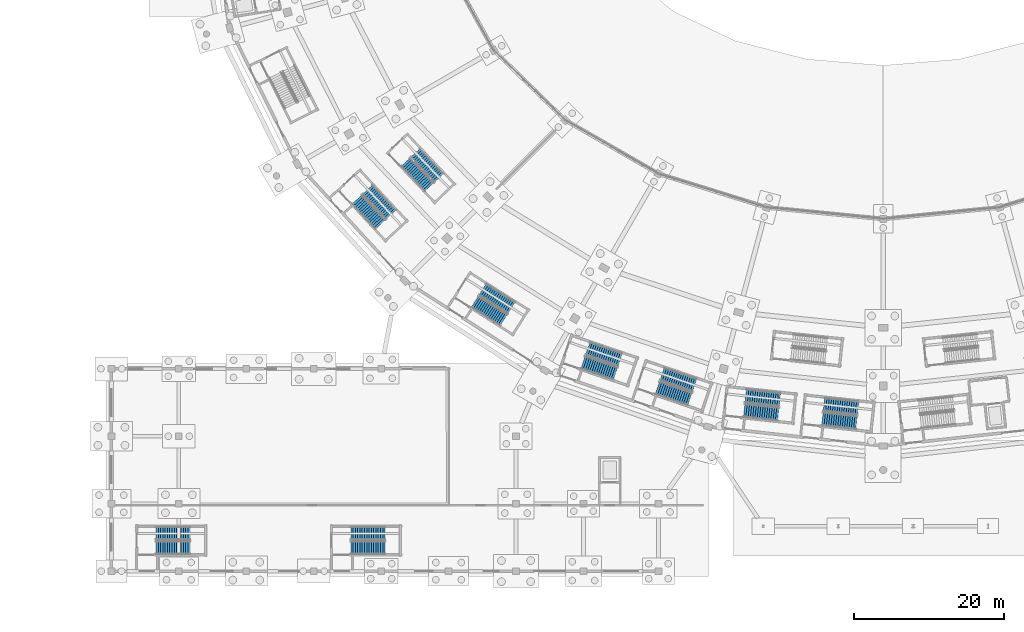
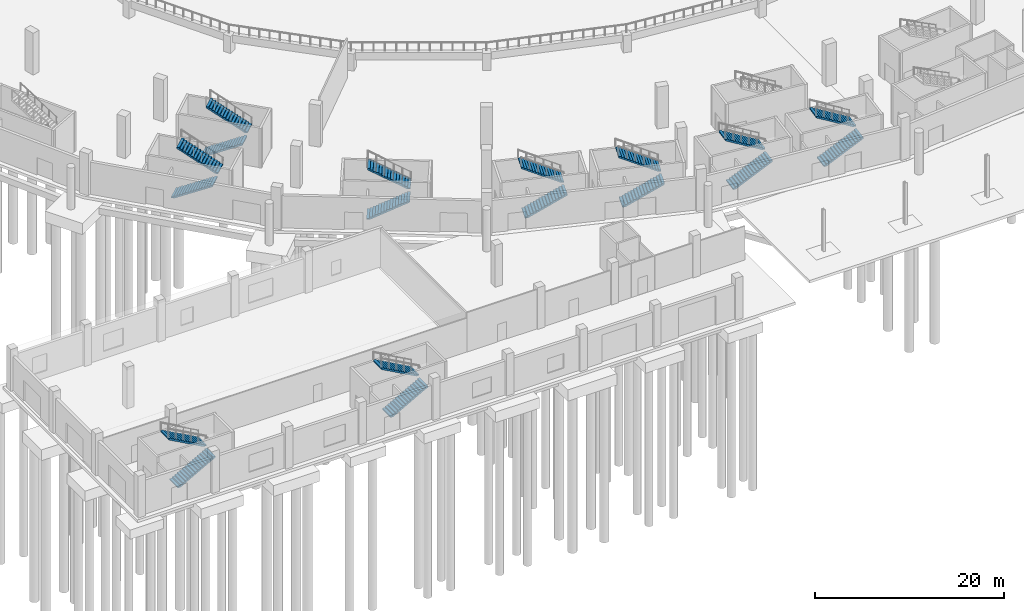
# One storey, part 50 of 103: 18 stair flights, 9 elements without a shape of their own.
"""IFC4 building model written with IfcOpenShell, lengths in metres."""

from ifc_helpers import new_model, si_unit, direction, frame, origin, place, context, subcontext, project, spatial, polyline, outline, extrude, material, type_object, element, aggregate, save


model = new_model("IFC4")

# Units and contexts
model_context = context("Model", 3, precision=1e-05, world=origin(), true_north=direction((0.0, 1.0)))
body_context = subcontext(model_context, "Body", "Model", "MODEL_VIEW")
ifc_project = project(units=[si_unit("LENGTHUNIT", "METRE"), si_unit("AREAUNIT", "SQUARE_METRE"), si_unit("VOLUMEUNIT", "CUBIC_METRE"), si_unit("PLANEANGLEUNIT", "RADIAN"), si_unit("MASSUNIT", "GRAM", prefix="KILO")], contexts=[model_context])

# Site, building, storey
site_placement = place(None, origin())
site = spatial("IfcSite", under=ifc_project, at=site_placement, CompositionType="ELEMENT")
building_placement = place(site_placement, origin())
building = spatial("IfcBuilding", under=site, at=building_placement, Name="Zevraka Park Crest Stadium", CompositionType="ELEMENT")
storey_placement = place(building_placement, origin())
storey = spatial("IfcBuildingStorey", under=building, at=storey_placement, Name="L00", CompositionType="ELEMENT", Elevation=0.0)

# Stair, stair flights
ifc_material_1 = material(Name="Concrete C35/45", Category="concrete")
stair_type_1 = type_object("IfcStairType", Name="STA1", PredefinedType="HALF_TURN_STAIR", material=ifc_material_1)
stair_1_placement = place(storey_placement, origin())
stair_1 = element("IfcStair", 1, at=stair_1_placement, inside=storey, type_object=stair_type_1, Name="L00 Protected Concourse Exit Stair ST15", PredefinedType="HALF_TURN_STAIR")
ifc_material_2 = material(Name="Concrete C35/45", Category="concrete")
stair_flight_type_1 = type_object("IfcStairFlightType", Name="FLA1", PredefinedType="STRAIGHT", material=ifc_material_2)
stair_flight_1_placement = place(storey_placement, frame((41.787353515625, 49.603759765625, 0.0), z_axis=(0.0, 0.0, 1.0), x_axis=(0.680255347227, -0.732975212793, 0.0)))
stair_flight_1 = element("IfcStairFlight", 2, at=stair_flight_1_placement, type_object=stair_flight_type_1, Name="ST15 flight 1", NumberOfRisers=16, NumberOfTreads=15, PredefinedType="STRAIGHT", RiserHeight=0.16875, TreadLength=0.305, context=body_context, shape_type="SweptSolid", body=[
    extrude(outline(polyline([(0.0, 0.0), (0.0, 0.168701171875), (0.304931640625, 0.168701171875), (0.304931640625, 0.33740234375), (0.610107421875, 0.33740234375), (0.610107421875, 0.50634765625), (0.9150390625, 0.50634765625), (0.9150390625, 0.675048828125), (1.219970703125, 0.675048828125), (1.219970703125, 0.84375), (1.52490234375, 0.84375), (1.52490234375, 1.012451171875), (1.830078125, 1.012451171875), (1.830078125, 1.18115234375), (2.135009765625, 1.18115234375), (2.135009765625, 1.35009765625), (2.43994140625, 1.35009765625), (2.43994140625, 1.518798828125), (2.7451171875, 1.518798828125), (2.7451171875, 1.6875), (3.050048828125, 1.6875), (3.050048828125, 1.856201171875), (3.35498046875, 1.856201171875), (3.35498046875, 2.02490234375), (3.659912109375, 2.02490234375), (3.659912109375, 2.19384765625), (3.965087890625, 2.19384765625), (3.965087890625, 2.362548828125), (4.27001953125, 2.362548828125), (4.27001953125, 2.53125), (4.574951171875, 2.53125), (4.574951171875, 2.699951171875), (4.574951171875, 2.348388671875), (0.330322265625, 0.0), (0.0, 0.0)])), frame((0.0, 0.89990234375, 0.0), z_axis=(0.0, -1.0, 0.0), x_axis=(1.0, 0.0, 0.0)), (0.0, 0.0, 1.0), 1.800048828125),
])
stair_flight_2_placement = place(storey_placement, frame((46.336181640625, 47.583740234375, 2.699951171875), z_axis=(0.0, 0.0, 1.0), x_axis=(-0.680255347227, 0.732975212793, 0.0)))
stair_flight_2 = element("IfcStairFlight", 3, at=stair_flight_2_placement, type_object=stair_flight_type_1, Name="ST15 flight 2", NumberOfRisers=16, NumberOfTreads=15, PredefinedType="STRAIGHT", RiserHeight=0.16875, TreadLength=0.305, context=body_context, shape_type="SweptSolid", body=[
    extrude(outline(polyline([(0.0, 0.0), (0.0, 0.168701171875), (0.304931640625, 0.168701171875), (0.304931640625, 0.33740234375), (0.610107421875, 0.33740234375), (0.610107421875, 0.50634765625), (0.9150390625, 0.50634765625), (0.9150390625, 0.675048828125), (1.219970703125, 0.675048828125), (1.219970703125, 0.84375), (1.52490234375, 0.84375), (1.52490234375, 1.012451171875), (1.830078125, 1.012451171875), (1.830078125, 1.18115234375), (2.135009765625, 1.18115234375), (2.135009765625, 1.35009765625), (2.43994140625, 1.35009765625), (2.43994140625, 1.518798828125), (2.7451171875, 1.518798828125), (2.7451171875, 1.6875), (3.050048828125, 1.6875), (3.050048828125, 1.856201171875), (3.35498046875, 1.856201171875), (3.35498046875, 2.02490234375), (3.659912109375, 2.02490234375), (3.659912109375, 2.19384765625), (3.965087890625, 2.19384765625), (3.965087890625, 2.362548828125), (4.27001953125, 2.362548828125), (4.27001953125, 2.53125), (4.574951171875, 2.53125), (4.574951171875, 2.699951171875), (4.574951171875, 2.348388671875), (0.330322265625, 0.0), (0.0, 0.0)])), frame((0.0, 0.89990234375, 0.0), z_axis=(0.0, -1.0, 0.0), x_axis=(1.0, 0.0, 0.0)), (0.0, 0.0, 1.0), 1.800048828125),
])
aggregate(stair_1, [stair_flight_1, stair_flight_2])

stair_2_placement = place(storey_placement, origin())
stair_2 = element("IfcStair", 4, at=stair_2_placement, inside=storey, type_object=stair_type_1, Name="L00 Protected Concourse Exit Stair ST16", PredefinedType="HALF_TURN_STAIR")
stair_flight_3_placement = place(storey_placement, frame((57.4970703125, 35.939697265625, 0.0), z_axis=(0.0, 0.0, 1.0), x_axis=(0.844397122829, -0.535717741874, 0.0)))
stair_flight_3 = element("IfcStairFlight", 5, at=stair_flight_3_placement, type_object=stair_flight_type_1, Name="ST16 flight 1", NumberOfRisers=16, NumberOfTreads=15, PredefinedType="STRAIGHT", RiserHeight=0.16875, TreadLength=0.305, context=body_context, shape_type="SweptSolid", body=[
    extrude(outline(polyline([(0.0, 0.0), (0.0, 0.168701171875), (0.304931640625, 0.168701171875), (0.304931640625, 0.33740234375), (0.610107421875, 0.33740234375), (0.610107421875, 0.50634765625), (0.9150390625, 0.50634765625), (0.9150390625, 0.675048828125), (1.219970703125, 0.675048828125), (1.219970703125, 0.84375), (1.52490234375, 0.84375), (1.52490234375, 1.012451171875), (1.830078125, 1.012451171875), (1.830078125, 1.18115234375), (2.135009765625, 1.18115234375), (2.135009765625, 1.35009765625), (2.43994140625, 1.35009765625), (2.43994140625, 1.518798828125), (2.7451171875, 1.518798828125), (2.7451171875, 1.6875), (3.050048828125, 1.6875), (3.050048828125, 1.856201171875), (3.35498046875, 1.856201171875), (3.35498046875, 2.02490234375), (3.659912109375, 2.02490234375), (3.659912109375, 2.19384765625), (3.965087890625, 2.19384765625), (3.965087890625, 2.362548828125), (4.27001953125, 2.362548828125), (4.27001953125, 2.53125), (4.574951171875, 2.53125), (4.574951171875, 2.699951171875), (4.574951171875, 2.348388671875), (0.330322265625, 0.0), (0.0, 0.0)])), frame((0.0, 0.89990234375, 0.0), z_axis=(0.0, -1.0, 0.0), x_axis=(1.0, 0.0, 0.0)), (0.0, 0.0, 1.0), 1.800048828125),
])
stair_flight_4_placement = place(storey_placement, frame((62.41015625, 35.143798828125, 2.699951171875), z_axis=(0.0, 0.0, 1.0), x_axis=(-0.844397122829, 0.535717741874, 0.0)))
stair_flight_4 = element("IfcStairFlight", 6, at=stair_flight_4_placement, type_object=stair_flight_type_1, Name="ST16 flight 2", NumberOfRisers=16, NumberOfTreads=15, PredefinedType="STRAIGHT", RiserHeight=0.16875, TreadLength=0.305, context=body_context, shape_type="SweptSolid", body=[
    extrude(outline(polyline([(0.0, 0.0), (0.0, 0.168701171875), (0.304931640625, 0.168701171875), (0.304931640625, 0.33740234375), (0.610107421875, 0.33740234375), (0.610107421875, 0.50634765625), (0.9150390625, 0.50634765625), (0.9150390625, 0.675048828125), (1.219970703125, 0.675048828125), (1.219970703125, 0.84375), (1.52490234375, 0.84375), (1.52490234375, 1.012451171875), (1.830078125, 1.012451171875), (1.830078125, 1.18115234375), (2.135009765625, 1.18115234375), (2.135009765625, 1.35009765625), (2.43994140625, 1.35009765625), (2.43994140625, 1.518798828125), (2.7451171875, 1.518798828125), (2.7451171875, 1.6875), (3.050048828125, 1.6875), (3.050048828125, 1.856201171875), (3.35498046875, 1.856201171875), (3.35498046875, 2.02490234375), (3.659912109375, 2.02490234375), (3.659912109375, 2.19384765625), (3.965087890625, 2.19384765625), (3.965087890625, 2.362548828125), (4.27001953125, 2.362548828125), (4.27001953125, 2.53125), (4.574951171875, 2.53125), (4.574951171875, 2.699951171875), (4.574951171875, 2.348388671875), (0.330322265625, 0.0), (0.0, 0.0)])), frame((0.0, 0.89990234375, 0.0), z_axis=(0.0, -1.0, 0.0), x_axis=(1.0, 0.0, 0.0)), (0.0, 0.0, 1.0), 1.800048828125),
])
aggregate(stair_2, [stair_flight_3, stair_flight_4])

stair_3_placement = place(storey_placement, origin())
stair_3 = element("IfcStair", 7, at=stair_3_placement, inside=storey, type_object=stair_type_1, Name="L00 Protected Concourse Exit Stair ST17", PredefinedType="HALF_TURN_STAIR")
stair_flight_5_placement = place(storey_placement, frame((71.942626953125, 27.845458984375, 0.0), z_axis=(0.0, 0.0, 1.0), x_axis=(0.946066135515, -0.323973559463, 0.0)))
stair_flight_5 = element("IfcStairFlight", 8, at=stair_flight_5_placement, type_object=stair_flight_type_1, Name="ST17 flight 1", NumberOfRisers=16, NumberOfTreads=15, PredefinedType="STRAIGHT", RiserHeight=0.16875, TreadLength=0.305, context=body_context, shape_type="SweptSolid", body=[
    extrude(outline(polyline([(0.0, 0.0), (0.0, 0.168701171875), (0.304931640625, 0.168701171875), (0.304931640625, 0.33740234375), (0.610107421875, 0.33740234375), (0.610107421875, 0.50634765625), (0.9150390625, 0.50634765625), (0.9150390625, 0.675048828125), (1.219970703125, 0.675048828125), (1.219970703125, 0.84375), (1.52490234375, 0.84375), (1.52490234375, 1.012451171875), (1.830078125, 1.012451171875), (1.830078125, 1.18115234375), (2.135009765625, 1.18115234375), (2.135009765625, 1.35009765625), (2.43994140625, 1.35009765625), (2.43994140625, 1.518798828125), (2.7451171875, 1.518798828125), (2.7451171875, 1.6875), (3.050048828125, 1.6875), (3.050048828125, 1.856201171875), (3.35498046875, 1.856201171875), (3.35498046875, 2.02490234375), (3.659912109375, 2.02490234375), (3.659912109375, 2.19384765625), (3.965087890625, 2.19384765625), (3.965087890625, 2.362548828125), (4.27001953125, 2.362548828125), (4.27001953125, 2.53125), (4.574951171875, 2.53125), (4.574951171875, 2.699951171875), (4.574951171875, 2.348388671875), (0.330322265625, 0.0), (0.0, 0.0)])), frame((0.0, 0.89990234375, 0.0), z_axis=(0.0, -1.0, 0.0), x_axis=(1.0, 0.0, 0.0)), (0.0, 0.0, 1.0), 1.800048828125),
])
stair_flight_6_placement = place(storey_placement, frame((76.906005859375, 28.217529296875, 2.699951171875), z_axis=(0.0, 0.0, 1.0), x_axis=(-0.946066135515, 0.323973559463, 0.0)))
stair_flight_6 = element("IfcStairFlight", 9, at=stair_flight_6_placement, type_object=stair_flight_type_1, Name="ST17 flight 2", NumberOfRisers=16, NumberOfTreads=15, PredefinedType="STRAIGHT", RiserHeight=0.16875, TreadLength=0.305, context=body_context, shape_type="SweptSolid", body=[
    extrude(outline(polyline([(0.0, 0.0), (0.0, 0.168701171875), (0.304931640625, 0.168701171875), (0.304931640625, 0.33740234375), (0.610107421875, 0.33740234375), (0.610107421875, 0.50634765625), (0.9150390625, 0.50634765625), (0.9150390625, 0.675048828125), (1.219970703125, 0.675048828125), (1.219970703125, 0.84375), (1.52490234375, 0.84375), (1.52490234375, 1.012451171875), (1.830078125, 1.012451171875), (1.830078125, 1.18115234375), (2.135009765625, 1.18115234375), (2.135009765625, 1.35009765625), (2.43994140625, 1.35009765625), (2.43994140625, 1.518798828125), (2.7451171875, 1.518798828125), (2.7451171875, 1.6875), (3.050048828125, 1.6875), (3.050048828125, 1.856201171875), (3.35498046875, 1.856201171875), (3.35498046875, 2.02490234375), (3.659912109375, 2.02490234375), (3.659912109375, 2.19384765625), (3.965087890625, 2.19384765625), (3.965087890625, 2.362548828125), (4.27001953125, 2.362548828125), (4.27001953125, 2.53125), (4.574951171875, 2.53125), (4.574951171875, 2.699951171875), (4.574951171875, 2.348388671875), (0.330322265625, 0.0), (0.0, 0.0)])), frame((0.0, 0.89990234375, 0.0), z_axis=(0.0, -1.0, 0.0), x_axis=(1.0, 0.0, 0.0)), (0.0, 0.0, 1.0), 1.800048828125),
])
aggregate(stair_3, [stair_flight_5, stair_flight_6])

stair_4_placement = place(storey_placement, origin())
stair_4 = element("IfcStair", 10, at=stair_4_placement, inside=storey, type_object=stair_type_1, Name="L00 Protected Concourse Exit Stair ST18", PredefinedType="HALF_TURN_STAIR")
stair_flight_7_placement = place(storey_placement, frame((93.454833984375, 21.43310546875, 0.0), z_axis=(0.0, 0.0, 1.0), x_axis=(0.994127567381, -0.108214508149, 0.0)))
stair_flight_7 = element("IfcStairFlight", 11, at=stair_flight_7_placement, type_object=stair_flight_type_1, Name="ST18 flight 1", NumberOfRisers=16, NumberOfTreads=15, PredefinedType="STRAIGHT", RiserHeight=0.16875, TreadLength=0.305, context=body_context, shape_type="SweptSolid", body=[
    extrude(outline(polyline([(0.0, 0.0), (0.0, 0.168701171875), (0.304931640625, 0.168701171875), (0.304931640625, 0.33740234375), (0.610107421875, 0.33740234375), (0.610107421875, 0.50634765625), (0.9150390625, 0.50634765625), (0.9150390625, 0.675048828125), (1.219970703125, 0.675048828125), (1.219970703125, 0.84375), (1.52490234375, 0.84375), (1.52490234375, 1.012451171875), (1.830078125, 1.012451171875), (1.830078125, 1.18115234375), (2.135009765625, 1.18115234375), (2.135009765625, 1.35009765625), (2.43994140625, 1.35009765625), (2.43994140625, 1.518798828125), (2.7451171875, 1.518798828125), (2.7451171875, 1.6875), (3.050048828125, 1.6875), (3.050048828125, 1.856201171875), (3.35498046875, 1.856201171875), (3.35498046875, 2.02490234375), (3.659912109375, 2.02490234375), (3.659912109375, 2.19384765625), (3.965087890625, 2.19384765625), (3.965087890625, 2.362548828125), (4.27001953125, 2.362548828125), (4.27001953125, 2.53125), (4.574951171875, 2.53125), (4.574951171875, 2.699951171875), (4.574951171875, 2.348388671875), (0.330322265625, 0.0), (0.0, 0.0)])), frame((0.0, 0.89990234375, 0.0), z_axis=(0.0, -1.0, 0.0), x_axis=(1.0, 0.0, 0.0)), (0.0, 0.0, 1.0), 1.800048828125),
])
stair_flight_8_placement = place(storey_placement, frame((98.21484375, 22.886474609375, 2.699951171875), z_axis=(0.0, 0.0, 1.0), x_axis=(-0.994127567381, 0.108214508149, 0.0)))
stair_flight_8 = element("IfcStairFlight", 12, at=stair_flight_8_placement, type_object=stair_flight_type_1, Name="ST18 flight 2", NumberOfRisers=16, NumberOfTreads=15, PredefinedType="STRAIGHT", RiserHeight=0.16875, TreadLength=0.305, context=body_context, shape_type="SweptSolid", body=[
    extrude(outline(polyline([(0.0, 0.0), (0.0, 0.168701171875), (0.304931640625, 0.168701171875), (0.304931640625, 0.33740234375), (0.610107421875, 0.33740234375), (0.610107421875, 0.50634765625), (0.9150390625, 0.50634765625), (0.9150390625, 0.675048828125), (1.219970703125, 0.675048828125), (1.219970703125, 0.84375), (1.52490234375, 0.84375), (1.52490234375, 1.012451171875), (1.830078125, 1.012451171875), (1.830078125, 1.18115234375), (2.135009765625, 1.18115234375), (2.135009765625, 1.35009765625), (2.43994140625, 1.35009765625), (2.43994140625, 1.518798828125), (2.7451171875, 1.518798828125), (2.7451171875, 1.6875), (3.050048828125, 1.6875), (3.050048828125, 1.856201171875), (3.35498046875, 1.856201171875), (3.35498046875, 2.02490234375), (3.659912109375, 2.02490234375), (3.659912109375, 2.19384765625), (3.965087890625, 2.19384765625), (3.965087890625, 2.362548828125), (4.27001953125, 2.362548828125), (4.27001953125, 2.53125), (4.574951171875, 2.53125), (4.574951171875, 2.699951171875), (4.574951171875, 2.348388671875), (0.330322265625, 0.0), (0.0, 0.0)])), frame((0.0, 0.89990234375, 0.0), z_axis=(0.0, -1.0, 0.0), x_axis=(1.0, 0.0, 0.0)), (0.0, 0.0, 1.0), 1.800048828125),
])
aggregate(stair_4, [stair_flight_7, stair_flight_8])

stair_5_placement = place(storey_placement, origin())
stair_5 = element("IfcStair", 13, at=stair_5_placement, inside=storey, type_object=stair_type_1, Name="L00 Protected Paired Concourse Exit Stair ST29", PredefinedType="HALF_TURN_STAIR")
stair_flight_9_placement = place(storey_placement, frame((81.876708984375, 24.444580078125, 0.0), z_axis=(0.0, 0.0, 1.0), x_axis=(0.946066135515, -0.323973559463, 0.0)))
stair_flight_9 = element("IfcStairFlight", 14, at=stair_flight_9_placement, type_object=stair_flight_type_1, Name="ST29 flight 1", NumberOfRisers=16, NumberOfTreads=15, PredefinedType="STRAIGHT", RiserHeight=0.16875, TreadLength=0.305, context=body_context, shape_type="SweptSolid", body=[
    extrude(outline(polyline([(0.0, 0.0), (0.0, 0.168701171875), (0.304931640625, 0.168701171875), (0.304931640625, 0.33740234375), (0.610107421875, 0.33740234375), (0.610107421875, 0.50634765625), (0.9150390625, 0.50634765625), (0.9150390625, 0.675048828125), (1.219970703125, 0.675048828125), (1.219970703125, 0.84375), (1.52490234375, 0.84375), (1.52490234375, 1.012451171875), (1.830078125, 1.012451171875), (1.830078125, 1.18115234375), (2.135009765625, 1.18115234375), (2.135009765625, 1.35009765625), (2.43994140625, 1.35009765625), (2.43994140625, 1.518798828125), (2.7451171875, 1.518798828125), (2.7451171875, 1.6875), (3.050048828125, 1.6875), (3.050048828125, 1.856201171875), (3.35498046875, 1.856201171875), (3.35498046875, 2.02490234375), (3.659912109375, 2.02490234375), (3.659912109375, 2.19384765625), (3.965087890625, 2.19384765625), (3.965087890625, 2.362548828125), (4.27001953125, 2.362548828125), (4.27001953125, 2.53125), (4.574951171875, 2.53125), (4.574951171875, 2.699951171875), (4.574951171875, 2.348388671875), (0.330322265625, 0.0), (0.0, 0.0)])), frame((0.0, 0.89990234375, 0.0), z_axis=(0.0, -1.0, 0.0), x_axis=(1.0, 0.0, 0.0)), (0.0, 0.0, 1.0), 1.800048828125),
])
stair_flight_10_placement = place(storey_placement, frame((86.840087890625, 24.816650390625, 2.699951171875), z_axis=(0.0, 0.0, 1.0), x_axis=(-0.946066135515, 0.323973559463, 0.0)))
stair_flight_10 = element("IfcStairFlight", 15, at=stair_flight_10_placement, type_object=stair_flight_type_1, Name="ST29 flight 2", NumberOfRisers=16, NumberOfTreads=15, PredefinedType="STRAIGHT", RiserHeight=0.16875, TreadLength=0.305, context=body_context, shape_type="SweptSolid", body=[
    extrude(outline(polyline([(0.0, 0.0), (0.0, 0.168701171875), (0.304931640625, 0.168701171875), (0.304931640625, 0.33740234375), (0.610107421875, 0.33740234375), (0.610107421875, 0.50634765625), (0.9150390625, 0.50634765625), (0.9150390625, 0.675048828125), (1.219970703125, 0.675048828125), (1.219970703125, 0.84375), (1.52490234375, 0.84375), (1.52490234375, 1.012451171875), (1.830078125, 1.012451171875), (1.830078125, 1.18115234375), (2.135009765625, 1.18115234375), (2.135009765625, 1.35009765625), (2.43994140625, 1.35009765625), (2.43994140625, 1.518798828125), (2.7451171875, 1.518798828125), (2.7451171875, 1.6875), (3.050048828125, 1.6875), (3.050048828125, 1.856201171875), (3.35498046875, 1.856201171875), (3.35498046875, 2.02490234375), (3.659912109375, 2.02490234375), (3.659912109375, 2.19384765625), (3.965087890625, 2.19384765625), (3.965087890625, 2.362548828125), (4.27001953125, 2.362548828125), (4.27001953125, 2.53125), (4.574951171875, 2.53125), (4.574951171875, 2.699951171875), (4.574951171875, 2.348388671875), (0.330322265625, 0.0), (0.0, 0.0)])), frame((0.0, 0.89990234375, 0.0), z_axis=(0.0, -1.0, 0.0), x_axis=(1.0, 0.0, 0.0)), (0.0, 0.0, 1.0), 1.800048828125),
])
aggregate(stair_5, [stair_flight_9, stair_flight_10])

stair_6_placement = place(storey_placement, origin())
stair_6 = element("IfcStair", 16, at=stair_6_placement, inside=storey, type_object=stair_type_1, Name="L00 Protected Paired Concourse Exit Stair ST30", PredefinedType="HALF_TURN_STAIR")
stair_flight_11_placement = place(storey_placement, frame((103.892822265625, 20.297119140625, 0.0), z_axis=(0.0, 0.0, 1.0), x_axis=(0.994127567381, -0.108214508149, 0.0)))
stair_flight_11 = element("IfcStairFlight", 17, at=stair_flight_11_placement, type_object=stair_flight_type_1, Name="ST30 flight 1", NumberOfRisers=16, NumberOfTreads=15, PredefinedType="STRAIGHT", RiserHeight=0.16875, TreadLength=0.305, context=body_context, shape_type="SweptSolid", body=[
    extrude(outline(polyline([(0.0, 0.0), (0.0, 0.168701171875), (0.304931640625, 0.168701171875), (0.304931640625, 0.33740234375), (0.610107421875, 0.33740234375), (0.610107421875, 0.50634765625), (0.9150390625, 0.50634765625), (0.9150390625, 0.675048828125), (1.219970703125, 0.675048828125), (1.219970703125, 0.84375), (1.52490234375, 0.84375), (1.52490234375, 1.012451171875), (1.830078125, 1.012451171875), (1.830078125, 1.18115234375), (2.135009765625, 1.18115234375), (2.135009765625, 1.35009765625), (2.43994140625, 1.35009765625), (2.43994140625, 1.518798828125), (2.7451171875, 1.518798828125), (2.7451171875, 1.6875), (3.050048828125, 1.6875), (3.050048828125, 1.856201171875), (3.35498046875, 1.856201171875), (3.35498046875, 2.02490234375), (3.659912109375, 2.02490234375), (3.659912109375, 2.19384765625), (3.965087890625, 2.19384765625), (3.965087890625, 2.362548828125), (4.27001953125, 2.362548828125), (4.27001953125, 2.53125), (4.574951171875, 2.53125), (4.574951171875, 2.699951171875), (4.574951171875, 2.348388671875), (0.330322265625, 0.0), (0.0, 0.0)])), frame((0.0, 0.89990234375, 0.0), z_axis=(0.0, -1.0, 0.0), x_axis=(1.0, 0.0, 0.0)), (0.0, 0.0, 1.0), 1.800048828125),
])
stair_flight_12_placement = place(storey_placement, frame((108.65283203125, 21.75048828125, 2.699951171875), z_axis=(0.0, 0.0, 1.0), x_axis=(-0.994127567381, 0.108214508149, 0.0)))
stair_flight_12 = element("IfcStairFlight", 18, at=stair_flight_12_placement, type_object=stair_flight_type_1, Name="ST30 flight 2", NumberOfRisers=16, NumberOfTreads=15, PredefinedType="STRAIGHT", RiserHeight=0.16875, TreadLength=0.305, context=body_context, shape_type="SweptSolid", body=[
    extrude(outline(polyline([(0.0, 0.0), (0.0, 0.168701171875), (0.304931640625, 0.168701171875), (0.304931640625, 0.33740234375), (0.610107421875, 0.33740234375), (0.610107421875, 0.50634765625), (0.9150390625, 0.50634765625), (0.9150390625, 0.675048828125), (1.219970703125, 0.675048828125), (1.219970703125, 0.84375), (1.52490234375, 0.84375), (1.52490234375, 1.012451171875), (1.830078125, 1.012451171875), (1.830078125, 1.18115234375), (2.135009765625, 1.18115234375), (2.135009765625, 1.35009765625), (2.43994140625, 1.35009765625), (2.43994140625, 1.518798828125), (2.7451171875, 1.518798828125), (2.7451171875, 1.6875), (3.050048828125, 1.6875), (3.050048828125, 1.856201171875), (3.35498046875, 1.856201171875), (3.35498046875, 2.02490234375), (3.659912109375, 2.02490234375), (3.659912109375, 2.19384765625), (3.965087890625, 2.19384765625), (3.965087890625, 2.362548828125), (4.27001953125, 2.362548828125), (4.27001953125, 2.53125), (4.574951171875, 2.53125), (4.574951171875, 2.699951171875), (4.574951171875, 2.348388671875), (0.330322265625, 0.0), (0.0, 0.0)])), frame((0.0, 0.89990234375, 0.0), z_axis=(0.0, -1.0, 0.0), x_axis=(1.0, 0.0, 0.0)), (0.0, 0.0, 1.0), 1.800048828125),
])
aggregate(stair_6, [stair_flight_11, stair_flight_12])

ifc_material_3 = material(Name="Concrete C35/45", Category="concrete")
stair_type_2 = type_object("IfcStairType", Name="STB1", PredefinedType="HALF_TURN_STAIR", material=ifc_material_3)
stair_7_placement = place(storey_placement, origin())
stair_7 = element("IfcStair", 19, at=stair_7_placement, inside=storey, type_object=stair_type_2, Name="L00 Protected Concourse Relief Stair ST40", PredefinedType="HALF_TURN_STAIR")
ifc_material_4 = material(Name="Concrete C35/45", Category="concrete")
stair_flight_type_2 = type_object("IfcStairFlightType", Name="FLB1", PredefinedType="STRAIGHT", material=ifc_material_4)
stair_flight_13_placement = place(storey_placement, frame((48.282958984375, 54.58056640625, 0.0), z_axis=(0.0, 0.0, 1.0), x_axis=(0.68832672281, -0.725400801396, 0.0)))
stair_flight_13 = element("IfcStairFlight", 20, at=stair_flight_13_placement, type_object=stair_flight_type_2, Name="ST40 flight 1", NumberOfRisers=16, NumberOfTreads=15, PredefinedType="STRAIGHT", RiserHeight=0.16875, TreadLength=0.305, context=body_context, shape_type="SweptSolid", body=[
    extrude(outline(polyline([(0.0, 0.0), (0.0, 0.168701171875), (0.304931640625, 0.168701171875), (0.304931640625, 0.33740234375), (0.610107421875, 0.33740234375), (0.610107421875, 0.50634765625), (0.9150390625, 0.50634765625), (0.9150390625, 0.675048828125), (1.219970703125, 0.675048828125), (1.219970703125, 0.84375), (1.52490234375, 0.84375), (1.52490234375, 1.012451171875), (1.830078125, 1.012451171875), (1.830078125, 1.18115234375), (2.135009765625, 1.18115234375), (2.135009765625, 1.35009765625), (2.43994140625, 1.35009765625), (2.43994140625, 1.518798828125), (2.7451171875, 1.518798828125), (2.7451171875, 1.6875), (3.050048828125, 1.6875), (3.050048828125, 1.856201171875), (3.35498046875, 1.856201171875), (3.35498046875, 2.02490234375), (3.659912109375, 2.02490234375), (3.659912109375, 2.19384765625), (3.965087890625, 2.19384765625), (3.965087890625, 2.362548828125), (4.27001953125, 2.362548828125), (4.27001953125, 2.53125), (4.574951171875, 2.53125), (4.574951171875, 2.699951171875), (4.574951171875, 2.348388671875), (0.330322265625, 0.0), (0.0, 0.0)])), frame((0.0, 0.824951171875, 0.0), z_axis=(0.0, -1.0, 0.0), x_axis=(1.0, 0.0, 0.0)), (0.0, 0.0, 1.0), 1.64990234375),
])
stair_flight_14_placement = place(storey_placement, frame((52.744873046875, 52.5078125, 2.699951171875), z_axis=(0.0, 0.0, 1.0), x_axis=(-0.68832672281, 0.725400801396, 0.0)))
stair_flight_14 = element("IfcStairFlight", 21, at=stair_flight_14_placement, type_object=stair_flight_type_2, Name="ST40 flight 2", NumberOfRisers=16, NumberOfTreads=15, PredefinedType="STRAIGHT", RiserHeight=0.16875, TreadLength=0.305, context=body_context, shape_type="SweptSolid", body=[
    extrude(outline(polyline([(0.0, 0.0), (0.0, 0.168701171875), (0.304931640625, 0.168701171875), (0.304931640625, 0.33740234375), (0.610107421875, 0.33740234375), (0.610107421875, 0.50634765625), (0.9150390625, 0.50634765625), (0.9150390625, 0.675048828125), (1.219970703125, 0.675048828125), (1.219970703125, 0.84375), (1.52490234375, 0.84375), (1.52490234375, 1.012451171875), (1.830078125, 1.012451171875), (1.830078125, 1.18115234375), (2.135009765625, 1.18115234375), (2.135009765625, 1.35009765625), (2.43994140625, 1.35009765625), (2.43994140625, 1.518798828125), (2.7451171875, 1.518798828125), (2.7451171875, 1.6875), (3.050048828125, 1.6875), (3.050048828125, 1.856201171875), (3.35498046875, 1.856201171875), (3.35498046875, 2.02490234375), (3.659912109375, 2.02490234375), (3.659912109375, 2.19384765625), (3.965087890625, 2.19384765625), (3.965087890625, 2.362548828125), (4.27001953125, 2.362548828125), (4.27001953125, 2.53125), (4.574951171875, 2.53125), (4.574951171875, 2.699951171875), (4.574951171875, 2.348388671875), (0.330322265625, 0.0), (0.0, 0.0)])), frame((0.0, 0.824951171875, 0.0), z_axis=(0.0, -1.0, 0.0), x_axis=(1.0, 0.0, 0.0)), (0.0, 0.0, 1.0), 1.64990234375),
])
aggregate(stair_7, [stair_flight_13, stair_flight_14])

ifc_material_5 = material(Name="Concrete C35/45", Category="concrete")
stair_type_3 = type_object("IfcStairType", Name="STC1", PredefinedType="HALF_TURN_STAIR", material=ifc_material_5)
stair_8_placement = place(storey_placement, origin())
stair_8 = element("IfcStair", 22, at=stair_8_placement, inside=storey, type_object=stair_type_3, Name="L00 South Broadcast Wing West Stair ST51", PredefinedType="HALF_TURN_STAIR")
ifc_material_6 = material(Name="Concrete C35/45", Category="concrete")
stair_flight_type_3 = type_object("IfcStairFlightType", Name="FLC1", PredefinedType="STRAIGHT", material=ifc_material_6)
stair_flight_15_placement = place(storey_placement, frame((14.949951171875, 3.125, 0.0), z_axis=(0.0, 0.0, 1.0), x_axis=(1.0, 0.0, 0.0)))
stair_flight_15 = element("IfcStairFlight", 23, at=stair_flight_15_placement, type_object=stair_flight_type_3, Name="ST51 flight 1", NumberOfRisers=16, NumberOfTreads=15, PredefinedType="STRAIGHT", RiserHeight=0.16875, TreadLength=0.305, context=body_context, shape_type="SweptSolid", body=[
    extrude(outline(polyline([(0.0, 0.0), (0.0, 0.168701171875), (0.304931640625, 0.168701171875), (0.304931640625, 0.33740234375), (0.610107421875, 0.33740234375), (0.610107421875, 0.50634765625), (0.9150390625, 0.50634765625), (0.9150390625, 0.675048828125), (1.219970703125, 0.675048828125), (1.219970703125, 0.84375), (1.52490234375, 0.84375), (1.52490234375, 1.012451171875), (1.830078125, 1.012451171875), (1.830078125, 1.18115234375), (2.135009765625, 1.18115234375), (2.135009765625, 1.35009765625), (2.43994140625, 1.35009765625), (2.43994140625, 1.518798828125), (2.7451171875, 1.518798828125), (2.7451171875, 1.6875), (3.050048828125, 1.6875), (3.050048828125, 1.856201171875), (3.35498046875, 1.856201171875), (3.35498046875, 2.02490234375), (3.659912109375, 2.02490234375), (3.659912109375, 2.19384765625), (3.965087890625, 2.19384765625), (3.965087890625, 2.362548828125), (4.27001953125, 2.362548828125), (4.27001953125, 2.53125), (4.574951171875, 2.53125), (4.574951171875, 2.699951171875), (4.574951171875, 2.348388671875), (0.330322265625, 0.0), (0.0, 0.0)])), frame((0.0, 0.875, 0.0), z_axis=(0.0, -1.0, 0.0), x_axis=(1.0, 0.0, 0.0)), (0.0, 0.0, 1.0), 1.75),
])
stair_flight_16_placement = place(storey_placement, frame((19.52490234375, 5.034912109375, 2.699951171875), z_axis=(0.0, 0.0, 1.0), x_axis=(-1.0, 0.0, 0.0)))
stair_flight_16 = element("IfcStairFlight", 24, at=stair_flight_16_placement, type_object=stair_flight_type_3, Name="ST51 flight 2", NumberOfRisers=16, NumberOfTreads=15, PredefinedType="STRAIGHT", RiserHeight=0.16875, TreadLength=0.305, context=body_context, shape_type="SweptSolid", body=[
    extrude(outline(polyline([(0.0, 0.0), (0.0, 0.168701171875), (0.304931640625, 0.168701171875), (0.304931640625, 0.33740234375), (0.610107421875, 0.33740234375), (0.610107421875, 0.50634765625), (0.9150390625, 0.50634765625), (0.9150390625, 0.675048828125), (1.219970703125, 0.675048828125), (1.219970703125, 0.84375), (1.52490234375, 0.84375), (1.52490234375, 1.012451171875), (1.830078125, 1.012451171875), (1.830078125, 1.18115234375), (2.135009765625, 1.18115234375), (2.135009765625, 1.35009765625), (2.43994140625, 1.35009765625), (2.43994140625, 1.518798828125), (2.7451171875, 1.518798828125), (2.7451171875, 1.6875), (3.050048828125, 1.6875), (3.050048828125, 1.856201171875), (3.35498046875, 1.856201171875), (3.35498046875, 2.02490234375), (3.659912109375, 2.02490234375), (3.659912109375, 2.19384765625), (3.965087890625, 2.19384765625), (3.965087890625, 2.362548828125), (4.27001953125, 2.362548828125), (4.27001953125, 2.53125), (4.574951171875, 2.53125), (4.574951171875, 2.699951171875), (4.574951171875, 2.348388671875), (0.330322265625, 0.0), (0.0, 0.0)])), frame((0.0, 0.875, 0.0), z_axis=(0.0, -1.0, 0.0), x_axis=(1.0, 0.0, 0.0)), (0.0, 0.0, 1.0), 1.75),
])
aggregate(stair_8, [stair_flight_15, stair_flight_16])

stair_9_placement = place(storey_placement, origin())
stair_9 = element("IfcStair", 25, at=stair_9_placement, inside=storey, type_object=stair_type_3, Name="L00 South Broadcast Wing East Stair ST52", PredefinedType="HALF_TURN_STAIR")
stair_flight_17_placement = place(storey_placement, frame((40.949951171875, 3.125, 0.0), z_axis=(0.0, 0.0, 1.0), x_axis=(1.0, 0.0, 0.0)))
stair_flight_17 = element("IfcStairFlight", 26, at=stair_flight_17_placement, type_object=stair_flight_type_3, Name="ST52 flight 1", NumberOfRisers=16, NumberOfTreads=15, PredefinedType="STRAIGHT", RiserHeight=0.16875, TreadLength=0.305, context=body_context, shape_type="SweptSolid", body=[
    extrude(outline(polyline([(0.0, 0.0), (0.0, 0.168701171875), (0.304931640625, 0.168701171875), (0.304931640625, 0.33740234375), (0.610107421875, 0.33740234375), (0.610107421875, 0.50634765625), (0.9150390625, 0.50634765625), (0.9150390625, 0.675048828125), (1.219970703125, 0.675048828125), (1.219970703125, 0.84375), (1.52490234375, 0.84375), (1.52490234375, 1.012451171875), (1.830078125, 1.012451171875), (1.830078125, 1.18115234375), (2.135009765625, 1.18115234375), (2.135009765625, 1.35009765625), (2.43994140625, 1.35009765625), (2.43994140625, 1.518798828125), (2.7451171875, 1.518798828125), (2.7451171875, 1.6875), (3.050048828125, 1.6875), (3.050048828125, 1.856201171875), (3.35498046875, 1.856201171875), (3.35498046875, 2.02490234375), (3.659912109375, 2.02490234375), (3.659912109375, 2.19384765625), (3.965087890625, 2.19384765625), (3.965087890625, 2.362548828125), (4.27001953125, 2.362548828125), (4.27001953125, 2.53125), (4.574951171875, 2.53125), (4.574951171875, 2.699951171875), (4.574951171875, 2.348388671875), (0.330322265625, 0.0), (0.0, 0.0)])), frame((0.0, 0.875, 0.0), z_axis=(0.0, -1.0, 0.0), x_axis=(1.0, 0.0, 0.0)), (0.0, 0.0, 1.0), 1.75),
])
stair_flight_18_placement = place(storey_placement, frame((45.52490234375, 5.034912109375, 2.699951171875), z_axis=(0.0, 0.0, 1.0), x_axis=(-1.0, 0.0, 0.0)))
stair_flight_18 = element("IfcStairFlight", 27, at=stair_flight_18_placement, type_object=stair_flight_type_3, Name="ST52 flight 2", NumberOfRisers=16, NumberOfTreads=15, PredefinedType="STRAIGHT", RiserHeight=0.16875, TreadLength=0.305, context=body_context, shape_type="SweptSolid", body=[
    extrude(outline(polyline([(0.0, 0.0), (0.0, 0.168701171875), (0.304931640625, 0.168701171875), (0.304931640625, 0.33740234375), (0.610107421875, 0.33740234375), (0.610107421875, 0.50634765625), (0.9150390625, 0.50634765625), (0.9150390625, 0.675048828125), (1.219970703125, 0.675048828125), (1.219970703125, 0.84375), (1.52490234375, 0.84375), (1.52490234375, 1.012451171875), (1.830078125, 1.012451171875), (1.830078125, 1.18115234375), (2.135009765625, 1.18115234375), (2.135009765625, 1.35009765625), (2.43994140625, 1.35009765625), (2.43994140625, 1.518798828125), (2.7451171875, 1.518798828125), (2.7451171875, 1.6875), (3.050048828125, 1.6875), (3.050048828125, 1.856201171875), (3.35498046875, 1.856201171875), (3.35498046875, 2.02490234375), (3.659912109375, 2.02490234375), (3.659912109375, 2.19384765625), (3.965087890625, 2.19384765625), (3.965087890625, 2.362548828125), (4.27001953125, 2.362548828125), (4.27001953125, 2.53125), (4.574951171875, 2.53125), (4.574951171875, 2.699951171875), (4.574951171875, 2.348388671875), (0.330322265625, 0.0), (0.0, 0.0)])), frame((0.0, 0.875, 0.0), z_axis=(0.0, -1.0, 0.0), x_axis=(1.0, 0.0, 0.0)), (0.0, 0.0, 1.0), 1.75),
])
aggregate(stair_9, [stair_flight_17, stair_flight_18])

save(model, "model.ifc")
